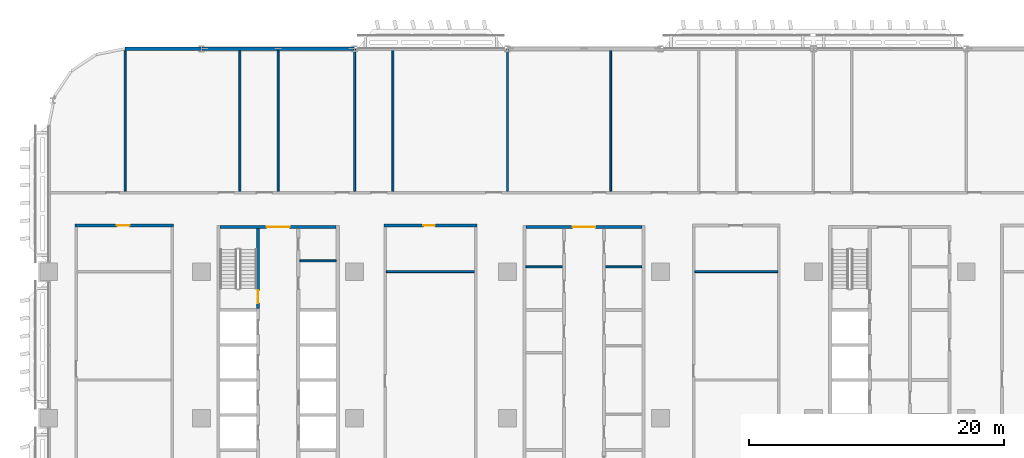
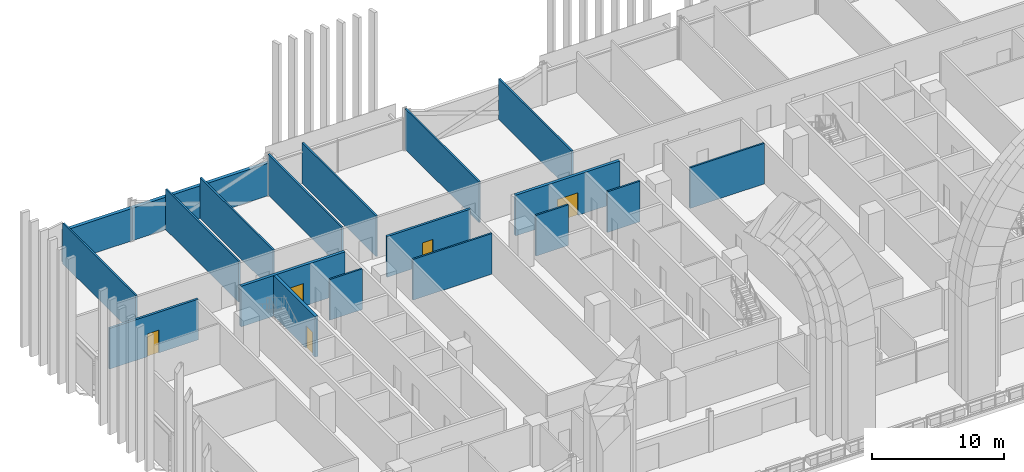
# One storey, part 12 of 31: 19 walls, 5 doors, 5 openings.
"""IFC4 building model written with IfcOpenShell, lengths in metres."""

from ifc_helpers import new_model, si_unit, direction, frame, frame_2d, origin, place, context, subcontext, project, spatial, rectangle, extrude, material, layer, layer_set, type_object, element, fill, save


model = new_model("IFC4")

# Units and contexts
model_context = context("Model", 3, precision=1e-05, world=origin(), true_north=direction((0.0, 1.0)))
body_context = subcontext(model_context, "Body", "Model", "MODEL_VIEW")
ifc_project = project(units=[si_unit("LENGTHUNIT", "METRE"), si_unit("AREAUNIT", "SQUARE_METRE"), si_unit("VOLUMEUNIT", "CUBIC_METRE"), si_unit("PLANEANGLEUNIT", "RADIAN"), si_unit("MASSUNIT", "GRAM", prefix="KILO")], contexts=[model_context])

# Site, building, storey
site_placement = place(None, origin())
site = spatial("IfcSite", under=ifc_project, at=site_placement, CompositionType="ELEMENT")
building_placement = place(site_placement, origin())
building = spatial("IfcBuilding", under=site, at=building_placement, Name="Mahtab Terrace Research Tower", CompositionType="ELEMENT")
storey_placement = place(building_placement, frame((0.0, 0.0, 84.800048828125)))
storey = spatial("IfcBuildingStorey", under=building, at=storey_placement, Name="L19", CompositionType="ELEMENT", Elevation=84.800048828125)

# Walls
ifc_material_1 = material(Name="Gypsum board partition")
ifc_layer_1 = layer(ifc_material_1, 0.14990234375)
ifc_layer_set_1 = layer_set([ifc_layer_1], Name="Core partition 150")
wall_type_1 = type_object("IfcWallType", Name="Core partition 150", PredefinedType="PARTITIONING", material=ifc_layer_set_1)
for number, where, z_axis, x_axis, name in (
    (1, (-22.300048828125, 12.35498046875, 0.0), (0.0, 0.0, 1.0), (1.0, 0.0, 0.0), "Core wall A pEN936"),
    (2, (-4.550048828125, 11.875, 0.0), (0.0, 0.0, 1.0), (1.0, 0.0, 0.0), "Core wall B pWN888"),
    (3, (1.699951171875, 11.875, 0.0), (0.0, 0.0, 1.0), (1.0, 0.0, 0.0), "Core wall B pEN888"),
):
    element("IfcWall", number, at=place(storey_placement, frame(where, z_axis=z_axis, x_axis=x_axis)), inside=storey, type_object=wall_type_1, Name=name, PredefinedType="PARTITIONING", context=body_context, shape_type="SweptSolid", body=[
        extrude(rectangle(XDim=2.85009765625, YDim=0.14990234375, at=frame_2d((1.425048828125, 0.0))), origin(), (0.0, 0.0, 1.0), 3.760009765625),
    ])

# Wall, opening, door
ifc_material_2 = material(Name="Concrete C70/85", Category="concrete")
ifc_layer_2 = layer(ifc_material_2, 0.25)
ifc_layer_set_2 = layer_set([ifc_layer_2], Name="Core wall 250")
wall_type_2 = type_object("IfcWallType", Name="Core wall 250", PredefinedType="SOLIDWALL", material=ifc_layer_set_2)
wall_1_placement = place(storey_placement, frame((-28.550048828125, 15.0, 0.0), z_axis=(0.0, 0.0, 1.0), x_axis=(1.0, 0.0, 0.0)))
wall_1 = element("IfcWall", 4, at=wall_1_placement, inside=storey, type_object=wall_type_2, Name="Core wall A endN", PredefinedType="SOLIDWALL", context=body_context, shape_type="SweptSolid", body=[
    extrude(rectangle(XDim=9.10009765625, YDim=0.25, at=frame_2d((4.550048828125, 0.0))), origin(), (0.0, 0.0, 1.0), 3.760009765625),
])
opening_1_placement = place(wall_1_placement, frame((3.64990234375, 0.0, 0.0)))
opening_1 = element("IfcOpeningElement", 5, at=opening_1_placement, cuts=wall_1, Name="Opening A-N1", PredefinedType="OPENING", context=body_context, shape_type="SweptSolid", body=[
    extrude(rectangle(XDim=1.800048828125, YDim=2.10009765625, at=frame_2d((0.89990234375, 1.050048828125))), frame((0.0, 0.135009765625, 0.0), z_axis=(0.0, -1.0, 0.0), x_axis=(1.0, 0.0, 0.0)), (0.0, 0.0, 1.0), 0.27001953125),
])
ifc_material_3 = material(Name="Steel fire door", Category="steel")
door_type_1 = type_object("IfcDoorType", Name="Lobby double door 1800x2100 1 HR", OperationType="DOUBLE_DOOR_SINGLE_SWING", PredefinedType="DOOR", material=ifc_material_3)
door_1_placement = place(opening_1_placement, origin())
door_1 = element("IfcDoor", 6, at=door_1_placement, inside=storey, type_object=door_type_1, Name="Core entrance door A N", OperationType="DOUBLE_DOOR_SINGLE_SWING", OverallHeight=2.10009765625, OverallWidth=1.800048828125, PredefinedType="DOOR", context=body_context, shape_type="SweptSolid", body=[
    extrude(rectangle(XDim=1.800048828125, YDim=2.10009765625, at=frame_2d((0.89990234375, 1.050048828125))), frame((0.0, 0.02490234375, 0.0), z_axis=(0.0, -1.0, 0.0), x_axis=(1.0, 0.0, 0.0)), (0.0, 0.0, 1.0), 0.050048828125),
])
fill(opening_1, door_1)

wall_2_placement = place(storey_placement, frame((-25.574951171875, 14.875, 0.0), z_axis=(0.0, 0.0, 1.0), x_axis=(0.0, -1.0, 0.0)))
wall_2 = element("IfcWall", 7, at=wall_2_placement, inside=storey, type_object=wall_type_2, Name="Core wall A innerWN", PredefinedType="SOLIDWALL", context=body_context, shape_type="SweptSolid", body=[
    extrude(rectangle(XDim=6.25, YDim=0.25, at=frame_2d((3.125, 0.0))), origin(), (0.0, 0.0, 1.0), 3.760009765625),
])
opening_2_placement = place(wall_2_placement, frame((4.85009765625, 0.0, 0.0)))
opening_2 = element("IfcOpeningElement", 8, at=opening_2_placement, cuts=wall_2, Name="Opening A-ST1", PredefinedType="OPENING", context=body_context, shape_type="SweptSolid", body=[
    extrude(rectangle(XDim=1.0, YDim=2.10009765625, at=frame_2d((0.5, 1.050048828125))), frame((0.0, 0.135009765625, 0.0), z_axis=(0.0, -1.0, 0.0), x_axis=(1.0, 0.0, 0.0)), (0.0, 0.0, 1.0), 0.27001953125),
])
door_type_2 = type_object("IfcDoorType", Name="Stair door 1000x2100 1.5 HR", OperationType="NOTDEFINED", PredefinedType="DOOR", material=ifc_material_3)
door_2_placement = place(opening_2_placement, origin())
door_2 = element("IfcDoor", 9, at=door_2_placement, inside=storey, type_object=door_type_2, Name="Stair door ST1 L19", OperationType="SINGLE_SWING_RIGHT", OverallHeight=2.10009765625, OverallWidth=1.0, PredefinedType="DOOR", context=body_context, shape_type="SweptSolid", body=[
    extrude(rectangle(XDim=1.0, YDim=2.10009765625, at=frame_2d((0.5, 1.050048828125))), frame((0.0, 0.02490234375, 0.0), z_axis=(0.0, -1.0, 0.0), x_axis=(1.0, 0.0, 0.0)), (0.0, 0.0, 1.0), 0.050048828125),
])
fill(opening_2, door_2)

wall_3_placement = place(storey_placement, frame((-4.550048828125, 15.0, 0.0), z_axis=(0.0, 0.0, 1.0), x_axis=(1.0, 0.0, 0.0)))
wall_3 = element("IfcWall", 10, at=wall_3_placement, inside=storey, type_object=wall_type_2, Name="Core wall B endN", PredefinedType="SOLIDWALL", context=body_context, shape_type="SweptSolid", body=[
    extrude(rectangle(XDim=9.10009765625, YDim=0.25, at=frame_2d((4.550048828125, 0.0))), origin(), (0.0, 0.0, 1.0), 3.760009765625),
])
opening_3_placement = place(wall_3_placement, frame((3.64990234375, 0.0, 0.0)))
opening_3 = element("IfcOpeningElement", 11, at=opening_3_placement, cuts=wall_3, Name="Opening B-N1", PredefinedType="OPENING", context=body_context, shape_type="SweptSolid", body=[
    extrude(rectangle(XDim=1.800048828125, YDim=2.10009765625, at=frame_2d((0.89990234375, 1.050048828125))), frame((0.0, 0.135009765625, 0.0), z_axis=(0.0, -1.0, 0.0), x_axis=(1.0, 0.0, 0.0)), (0.0, 0.0, 1.0), 0.27001953125),
])
door_3_placement = place(opening_3_placement, origin())
door_3 = element("IfcDoor", 12, at=door_3_placement, inside=storey, type_object=door_type_1, Name="Core entrance door B N", OperationType="DOUBLE_DOOR_SINGLE_SWING", OverallHeight=2.10009765625, OverallWidth=1.800048828125, PredefinedType="DOOR", context=body_context, shape_type="SweptSolid", body=[
    extrude(rectangle(XDim=1.800048828125, YDim=2.10009765625, at=frame_2d((0.89990234375, 1.050048828125))), frame((0.0, 0.02490234375, 0.0), z_axis=(0.0, -1.0, 0.0), x_axis=(1.0, 0.0, 0.0)), (0.0, 0.0, 1.0), 0.050048828125),
])
fill(opening_3, door_3)

# Walls
ifc_material_4 = material(Name="Black aluminium cladding panel", Category="aluminium")
ifc_layer_3 = layer(ifc_material_4, 0.300048828125)
ifc_layer_set_3 = layer_set([ifc_layer_3], Name="Opaque facade wall 300")
wall_type_3 = type_object("IfcWallType", Name="Opaque facade wall 300", PredefinedType="NOTDEFINED", material=ifc_layer_set_3)
wall_4_placement = place(storey_placement, frame((-18.02099609375, 29.0, 0.0), z_axis=(0.0, 0.0, 1.0), x_axis=(-1.0, 0.0, 0.0)))
element("IfcWall", 13, at=wall_4_placement, inside=storey, type_object=wall_type_3, Name="Opaque facade wall L19 N9", PredefinedType="NOTDEFINED", context=body_context, shape_type="SweptSolid", body=[
    extrude(rectangle(XDim=11.9580078125, YDim=0.300048828125, at=frame_2d((5.97900390625, 0.0))), origin(), (0.0, 0.0, 1.0), 3.0029296875),
])
wall_5_placement = place(storey_placement, frame((-30.02099609375, 29.0, 0.0), z_axis=(0.0, 0.0, 1.0), x_axis=(-1.0, 0.0, 0.0)))
element("IfcWall", 14, at=wall_5_placement, inside=storey, type_object=wall_type_3, Name="Opaque facade wall L19 N10", PredefinedType="NOTDEFINED", context=body_context, shape_type="SweptSolid", body=[
    extrude(rectangle(XDim=5.97900390625, YDim=0.300048828125, at=frame_2d((2.989501953125, 0.0))), origin(), (0.0, 0.0, 1.0), 3.0029296875),
])

# Wall, opening, door
ifc_material_5 = material(Name="Gypsum board corridor wall on steel studs", Category="steel")
ifc_layer_4 = layer(ifc_material_5, 0.199951171875)
ifc_layer_set_4 = layer_set([ifc_layer_4], Name="WALL CORRIDOR 200")
wall_type_4 = type_object("IfcWallType", Name="WALL CORRIDOR 200", PredefinedType="PARTITIONING", material=ifc_layer_set_4)
wall_6_placement = place(storey_placement, frame((-39.949951171875, 15.125, 0.0), z_axis=(0.0, 0.0, 1.0), x_axis=(1.0, 0.0, 0.0)))
wall_6 = element("IfcWall", 15, at=wall_6_placement, inside=storey, type_object=wall_type_4, Name="L19-W020", PredefinedType="PARTITIONING", context=body_context, shape_type="SweptSolid", body=[
    extrude(rectangle(XDim=7.75, YDim=0.199951171875, at=frame_2d((3.875, 0.0))), origin(), (0.0, 0.0, 1.0), 3.760009765625),
])
opening_4_placement = place(wall_6_placement, frame((3.300048828125, 0.0, 0.0)))
opening_4 = element("IfcOpeningElement", 16, at=opening_4_placement, cuts=wall_6, Name="Opening L19-118", PredefinedType="OPENING", context=body_context, shape_type="SweptSolid", body=[
    extrude(rectangle(XDim=1.0, YDim=2.10009765625, at=frame_2d((0.5, 1.050048828125))), frame((0.0, 0.10986328125, 0.0), z_axis=(0.0, -1.0, 0.0), x_axis=(1.0, 0.0, 0.0)), (0.0, 0.0, 1.0), 0.219970703125),
])
ifc_material_6 = material(Name="Timber door leaf in steel frame", Category="steel")
door_type_3 = type_object("IfcDoorType", Name="DOOR 1000X2100 FD30S", OperationType="SINGLE_SWING_LEFT", PredefinedType="DOOR", material=ifc_material_6)
door_4_placement = place(opening_4_placement, origin())
door_4 = element("IfcDoor", 17, at=door_4_placement, inside=storey, type_object=door_type_3, Name="Door L19-118", OperationType="SINGLE_SWING_RIGHT", OverallHeight=2.10009765625, OverallWidth=1.0, PredefinedType="DOOR", context=body_context, shape_type="SweptSolid", body=[
    extrude(rectangle(XDim=1.0, YDim=2.10009765625, at=frame_2d((0.5, 1.050048828125))), frame((0.0, 0.02490234375, 0.0), z_axis=(0.0, -1.0, 0.0), x_axis=(1.0, 0.0, 0.0)), (0.0, 0.0, 1.0), 0.050048828125),
])
fill(opening_4, door_4)

wall_7_placement = place(storey_placement, frame((-15.699951171875, 15.125, 0.0), z_axis=(0.0, 0.0, 1.0), x_axis=(1.0, 0.0, 0.0)))
wall_7 = element("IfcWall", 18, at=wall_7_placement, inside=storey, type_object=wall_type_4, Name="L19-W021", PredefinedType="PARTITIONING", context=body_context, shape_type="SweptSolid", body=[
    extrude(rectangle(XDim=7.300048828125, YDim=0.199951171875, at=frame_2d((3.64990234375, 0.0))), origin(), (0.0, 0.0, 1.0), 3.760009765625),
])
opening_5_placement = place(wall_7_placement, frame((3.10009765625, 0.0, 0.0)))
opening_5 = element("IfcOpeningElement", 19, at=opening_5_placement, cuts=wall_7, Name="Opening L19-119", PredefinedType="OPENING", context=body_context, shape_type="SweptSolid", body=[
    extrude(rectangle(XDim=0.89990234375, YDim=2.10009765625, at=frame_2d((0.449951171875, 1.050048828125))), frame((0.0, 0.10986328125, 0.0), z_axis=(0.0, -1.0, 0.0), x_axis=(1.0, 0.0, 0.0)), (0.0, 0.0, 1.0), 0.219970703125),
])
door_type_4 = type_object("IfcDoorType", Name="DOOR 0900X2100 FD30S", OperationType="SINGLE_SWING_LEFT", PredefinedType="DOOR", material=ifc_material_6)
door_5_placement = place(opening_5_placement, origin())
door_5 = element("IfcDoor", 20, at=door_5_placement, inside=storey, type_object=door_type_4, Name="Door L19-119", OperationType="SINGLE_SWING_RIGHT", OverallHeight=2.10009765625, OverallWidth=0.89990234375, PredefinedType="DOOR", context=body_context, shape_type="SweptSolid", body=[
    extrude(rectangle(XDim=0.89990234375, YDim=2.10009765625, at=frame_2d((0.449951171875, 1.050048828125))), frame((0.0, 0.02490234375, 0.0), z_axis=(0.0, -1.0, 0.0), x_axis=(1.0, 0.0, 0.0)), (0.0, 0.0, 1.0), 0.050048828125),
])
fill(opening_5, door_5)

# Walls
ifc_material_7 = material(Name="Gypsum board partition on steel studs", Category="steel")
ifc_layer_5 = layer(ifc_material_7, 0.14990234375)
ifc_layer_set_5 = layer_set([ifc_layer_5], Name="WALL PARTITION 150")
wall_type_5 = type_object("IfcWallType", Name="WALL PARTITION 150", PredefinedType="PARTITIONING", material=ifc_layer_set_5)
wall_8_placement = place(storey_placement, frame((-15.5, 11.5, 0.0), z_axis=(0.0, 0.0, 1.0), x_axis=(1.0, 0.0, 0.0)))
element("IfcWall", 21, at=wall_8_placement, inside=storey, type_object=wall_type_5, Name="L19-W016", PredefinedType="PARTITIONING", context=body_context, shape_type="SweptSolid", body=[
    extrude(rectangle(XDim=6.89990234375, YDim=0.14990234375, at=frame_2d((3.449951171875, 0.0))), origin(), (0.0, 0.0, 1.0), 3.760009765625),
])
wall_9_placement = place(storey_placement, frame((8.699951171875, 11.5, 0.0), z_axis=(0.0, 0.0, 1.0), x_axis=(1.0, 0.0, 0.0)))
element("IfcWall", 22, at=wall_9_placement, inside=storey, type_object=wall_type_5, Name="L19-W017", PredefinedType="PARTITIONING", context=body_context, shape_type="SweptSolid", body=[
    extrude(rectangle(XDim=6.5, YDim=0.14990234375, at=frame_2d((3.25, 0.0))), origin(), (0.0, 0.0, 1.0), 3.760009765625),
])
wall_10_placement = place(storey_placement, frame((-36.0, 17.800048828125, 0.0), z_axis=(0.0, 0.0, 1.0), x_axis=(0.0, 1.0, 0.0)))
element("IfcWall", 23, at=wall_10_placement, inside=storey, type_object=wall_type_5, Name="L19-W026", PredefinedType="PARTITIONING", context=body_context, shape_type="SweptSolid", body=[
    extrude(rectangle(XDim=11.047119140625, YDim=0.14990234375, at=frame_2d((5.5234375, 0.0))), origin(), (0.0, 0.0, 1.0), 3.760009765625),
])
for number, where, z_axis, x_axis, name in (
    (24, (-27.0, 17.800048828125, 0.0), (0.0, 0.0, 1.0), (0.0, 1.0, 0.0), "L19-W028"),
    (25, (-24.0, 17.800048828125, 0.0), (0.0, 0.0, 1.0), (0.0, 1.0, 0.0), "L19-W030"),
):
    element("IfcWall", number, at=place(storey_placement, frame(where, z_axis=z_axis, x_axis=x_axis)), inside=storey, type_object=wall_type_5, Name=name, PredefinedType="PARTITIONING", context=body_context, shape_type="SweptSolid", body=[
        extrude(rectangle(XDim=11.050048828125, YDim=0.14990234375, at=frame_2d((5.52490234375, 0.0))), origin(), (0.0, 0.0, 1.0), 3.760009765625),
    ])
for number, where, z_axis, x_axis, name in (
    (26, (-18.0, 17.800048828125, 0.0), (0.0, 0.0, 1.0), (0.0, 1.0, 0.0), "L19-W032"),
    (27, (-15.0, 17.800048828125, 0.0), (0.0, 0.0, 1.0), (0.0, 1.0, 0.0), "L19-W035"),
    (28, (-6.0, 17.800048828125, 0.0), (0.0, 0.0, 1.0), (0.0, 1.0, 0.0), "L19-W037"),
):
    element("IfcWall", number, at=place(storey_placement, frame(where, z_axis=z_axis, x_axis=x_axis)), inside=storey, type_object=wall_type_5, Name=name, PredefinedType="PARTITIONING", context=body_context, shape_type="SweptSolid", body=[
        extrude(rectangle(XDim=11.175048828125, YDim=0.14990234375, at=frame_2d((5.58740234375, 0.0))), origin(), (0.0, 0.0, 1.0), 3.760009765625),
    ])
wall_11_placement = place(storey_placement, frame((2.10009765625, 17.800048828125, 0.0), z_axis=(0.0, 0.0, 1.0), x_axis=(0.0, 1.0, 0.0)))
element("IfcWall", 29, at=wall_11_placement, inside=storey, type_object=wall_type_5, Name="L19-W038", PredefinedType="PARTITIONING", context=body_context, shape_type="SweptSolid", body=[
    extrude(rectangle(XDim=11.050048828125, YDim=0.14990234375, at=frame_2d((5.52490234375, 0.0))), origin(), (0.0, 0.0, 1.0), 3.760009765625),
])

save(model, "model.ifc")
